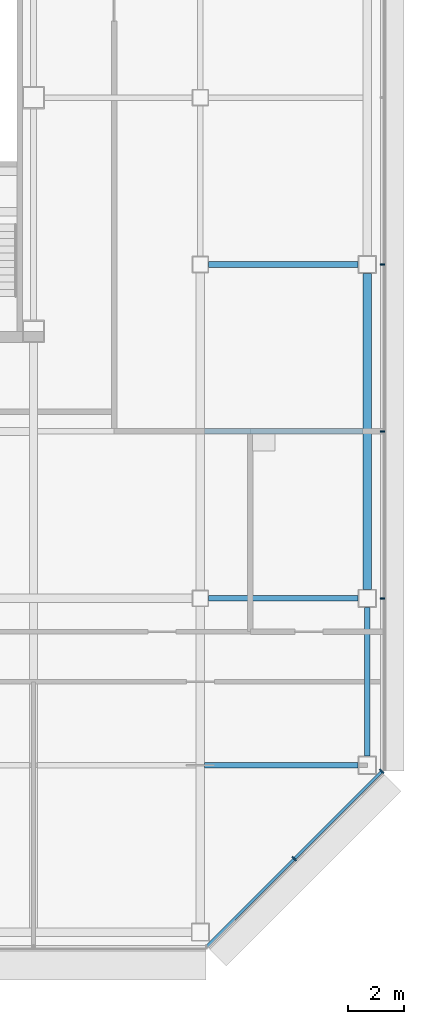
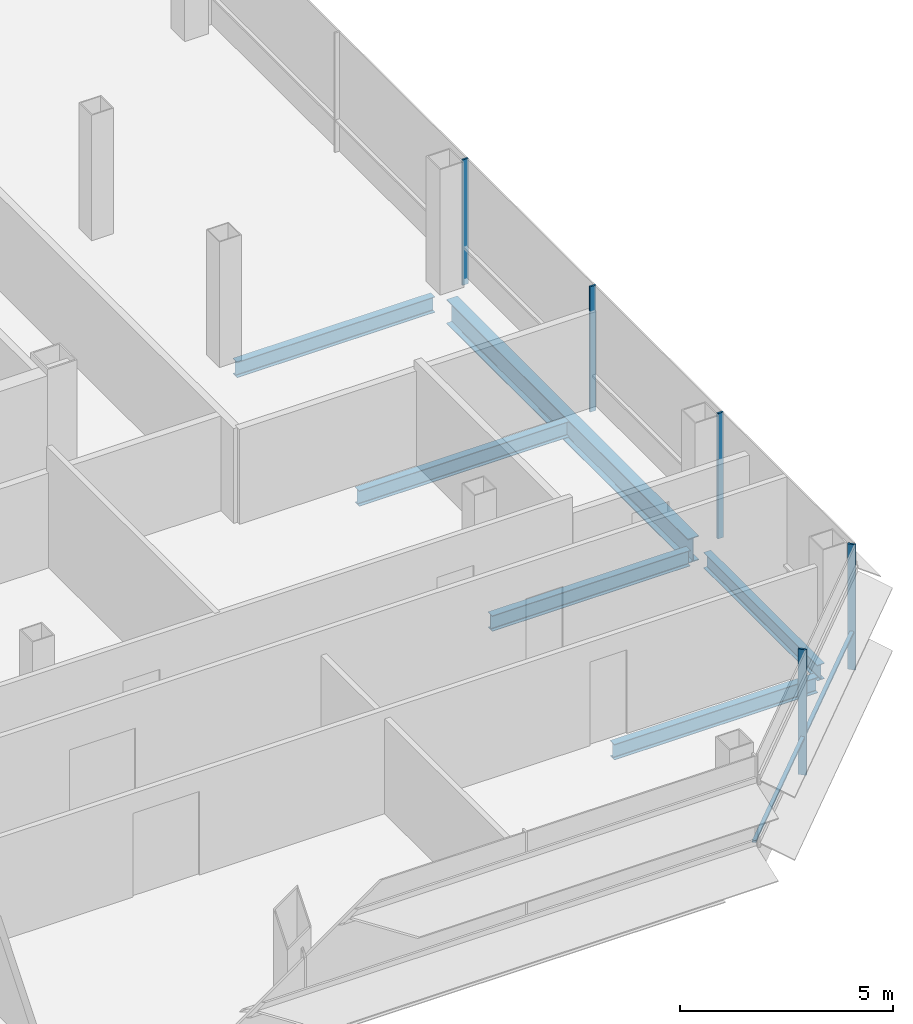
# One storey, part 16 of 26: 6 beams, 6 members, 2 elements without a shape of their own.
"""IFC4 building model written with IfcOpenShell, lengths in metres."""

import ifcopenshell
import ifcopenshell.guid

model = None  # the IFC model being written
_history = None  # IfcOwnerHistory: only IFC2X3 demands one
_inside = {}  # id of a spatial element -> (the spatial element, [elements in it])
_under = {}  # id of a project, library or spatial element -> (it, [spatial elements below it])
_declared = {}  # id of a project -> (the project, [libraries it declares])
_typed = {}  # id of a type object -> (the type object, [elements of that type])
_made_of = {}  # id of a material, layer set ... -> (it, [elements and type objects made of it])


def new_model(schema):
    """Start an empty IFC model of exactly this schema.

    Asked for "IFC4X3", IfcOpenShell would pick the latest addendum, in which some entities
    have other attributes; the version numbers below select the first issue.
    IFC2X3 requires an IfcOwnerHistory on every rooted entity: one is made here for all.
    """
    global model, _history
    if schema == "IFC4X3":
        model = ifcopenshell.file(schema_version=(4, 3, 0, 0))
    else:
        model = ifcopenshell.file(schema=schema)
    _inside.clear()
    _under.clear()
    _declared.clear()
    _typed.clear()
    _made_of.clear()
    _history = None
    if model.schema == "IFC2X3":
        org = make("IfcOrganization", Name="unknown")
        user = make(
            "IfcPersonAndOrganization",
            ThePerson=make("IfcPerson", FamilyName="unknown"),
            TheOrganization=org,
        )
        app = make(
            "IfcApplication",
            ApplicationDeveloper=org,
            Version="unknown",
            ApplicationFullName="unknown",
            ApplicationIdentifier="unknown",
        )
        _history = make(
            "IfcOwnerHistory",
            OwningUser=user,
            OwningApplication=app,
            ChangeAction="ADDED",
            CreationDate=0,
        )
    return model


def make(cls, **values):
    """One entity of the class cls with the attributes given. An attribute that is None is left unset."""
    return model.create_entity(
        cls, **{name: value for name, value in values.items() if value is not None}
    )


def rooted(cls, **values):
    """An entity with a GlobalId (a new one), such as an element, a storey or a relation."""
    return make(cls, GlobalId=ifcopenshell.guid.new(), OwnerHistory=_history, **values)


def si_unit(unit_type, name, prefix=None):
    """IfcSIUnit, for example si_unit("LENGTHUNIT", "METRE", prefix="MILLI")."""
    return make("IfcSIUnit", UnitType=unit_type, Prefix=prefix, Name=name)


def assignment(units):
    """IfcUnitAssignment: the units of a project."""
    return None if units is None else make("IfcUnitAssignment", Units=units)


def point(xyz):
    """IfcCartesianPoint."""
    return None if xyz is None else make("IfcCartesianPoint", Coordinates=xyz)


def direction(xyz):
    """IfcDirection."""
    return None if xyz is None else make("IfcDirection", DirectionRatios=xyz)


def frame(location, z_axis=None, x_axis=None):
    """IfcAxis2Placement3D, a coordinate frame: its origin and axes. An axis left out is left unset."""
    return make(
        "IfcAxis2Placement3D",
        Location=point(location),
        Axis=direction(z_axis),
        RefDirection=direction(x_axis),
    )


def frame_2d(location, x_axis=None):
    """IfcAxis2Placement2D, a coordinate frame in the plane: its origin and x axis."""
    return make(
        "IfcAxis2Placement2D", Location=point(location), RefDirection=direction(x_axis)
    )


def origin():
    """The frame at (0, 0, 0) with its axes left unset."""
    return frame((0.0, 0.0, 0.0))


def origin_2d():
    """The frame at (0, 0) in the plane with its x axis left unset."""
    return frame_2d((0.0, 0.0))


def place(relative_to, where):
    """IfcLocalPlacement: puts the frame where relative to a parent placement (None: the world)."""
    return make(
        "IfcLocalPlacement", PlacementRelTo=relative_to, RelativePlacement=where
    )


def context(
    kind, dimensions, precision=None, world=None, true_north=None, identifier=None
):
    """IfcGeometricRepresentationContext, for example the 3D "Model" context."""
    return make(
        "IfcGeometricRepresentationContext",
        ContextIdentifier=identifier,
        ContextType=kind,
        CoordinateSpaceDimension=dimensions,
        Precision=precision,
        WorldCoordinateSystem=world,
        TrueNorth=true_north,
    )


def subcontext(parent, identifier, kind, view, scale=None):
    """IfcGeometricRepresentationSubContext, for example "Body" below "Model"."""
    return make(
        "IfcGeometricRepresentationSubContext",
        ContextIdentifier=identifier,
        ContextType=kind,
        ParentContext=parent,
        TargetScale=scale,
        TargetView=view,
    )


def project(units=None, contexts=None):
    """IfcProject with its units and contexts."""
    return rooted(
        "IfcProject",
        Name="project",
        RepresentationContexts=contexts,
        UnitsInContext=assignment(units),
    )


def spatial(cls, under=None, at=None, **own):
    """A site, building, storey or space (cls), placed at a placement, below another one or the project."""
    s = rooted(cls, ObjectPlacement=at, **own)
    if under is not None:
        _under.setdefault(under.id(), (under, []))[1].append(s)
    return s


def profile(cls, at=None, kind="AREA", **sizes):
    """A parametric profile (cls). Its sizes go by their IFC names, for example OverallWidth=200.0."""
    return make(cls, ProfileType=kind, Position=at, **sizes)


def rectangle(**sizes):
    """IfcRectangleProfileDef."""
    return profile("IfcRectangleProfileDef", **sizes)


def i_section(**sizes):
    """IfcIShapeProfileDef."""
    return profile("IfcIShapeProfileDef", **sizes)


def extrude(swept, where, along, depth):
    """IfcExtrudedAreaSolid: the profile swept, set in the frame where, extruded along a direction by depth."""
    return make(
        "IfcExtrudedAreaSolid",
        SweptArea=swept,
        Position=where,
        ExtrudedDirection=direction(along),
        Depth=depth,
    )


def shape(context_of_items, identifier, shape_type, items):
    """IfcShapeRepresentation: the items that make up one representation, for example the "Body"."""
    return make(
        "IfcShapeRepresentation",
        ContextOfItems=context_of_items,
        RepresentationIdentifier=identifier,
        RepresentationType=shape_type,
        Items=items,
    )


def material(Name=None, Category=None):
    """IfcMaterial."""
    return make("IfcMaterial", Name=Name, Category=Category)


def material_profile(
    of_material, cross_section, Name=None, Category=None, Priority=None
):
    """IfcMaterialProfile: a cross section and its material."""
    return make(
        "IfcMaterialProfile",
        Name=Name,
        Material=of_material,
        Profile=cross_section,
        Priority=Priority,
        Category=Category,
    )


def profile_set(profiles, Name=None, composite=None):
    """IfcMaterialProfileSet."""
    return make(
        "IfcMaterialProfileSet",
        Name=Name,
        MaterialProfiles=profiles,
        CompositeProfile=composite,
    )


def made_of(thing, what):
    """Note that an element or type object is made of a material, layer set ...; save() writes the relation."""
    if what is not None:
        _made_of.setdefault(what.id(), (what, []))[1].append(thing)
    return thing


def type_object(cls, material=None, **own):
    """A type object (cls), such as IfcWallType, which elements share."""
    return made_of(rooted(cls, **own), material)


def element(
    cls,
    number,
    at=None,
    inside=None,
    cuts=None,
    type_object=None,
    material=None,
    context=None,
    identifier="Body",
    shape_type=None,
    held_by="IfcProductDefinitionShape",
    body=None,
    shapes=None,
    **own,
):
    """One element of the class cls, such as IfcWall. Its Tag is "e" and its number.

    at: its placement. inside: the storey or other place that contains it. cuts: it is an
    opening in that element (IfcRelVoidsElement). A single representation is given by context,
    identifier, shape_type and body (its items); several are given by shapes. held_by: the class
    of the entity that holds the representations. save() writes the other relations.
    """
    e = rooted(cls, Tag="e%d" % number, ObjectPlacement=at, **own)
    if body is not None:
        shapes = [shape(context, identifier, shape_type, body)]
    if shapes is not None:
        e.Representation = make(held_by, Representations=shapes)
    if inside is not None:
        _inside.setdefault(inside.id(), (inside, []))[1].append(e)
    if cuts is not None:
        rooted(
            "IfcRelVoidsElement", RelatingBuildingElement=cuts, RelatedOpeningElement=e
        )
    if type_object is not None:
        _typed.setdefault(type_object.id(), (type_object, []))[1].append(e)
    return made_of(e, material)


def aggregate(whole, parts):
    """IfcRelAggregates: a whole, such as a stair, and the parts it consists of."""
    return rooted("IfcRelAggregates", RelatingObject=whole, RelatedObjects=parts)


def save(model, path):
    """Write the relations noted so far, then the file.

    IfcRelAggregates (storeys below a building ...), IfcRelContainedInSpatialStructure (elements
    in a storey), IfcRelDefinesByType, IfcRelAssociatesMaterial and IfcRelDeclares: one each for
    every whole, place, type object, material and project.
    """
    for whole, parts in _under.values():
        aggregate(whole, parts)
    for where, things in _inside.values():
        rooted(
            "IfcRelContainedInSpatialStructure",
            RelatedElements=things,
            RelatingStructure=where,
        )
    for kind, things in _typed.values():
        rooted("IfcRelDefinesByType", RelatedObjects=things, RelatingType=kind)
    for what, things in _made_of.values():
        rooted("IfcRelAssociatesMaterial", RelatedObjects=things, RelatingMaterial=what)
    for by, libraries in _declared.values():
        rooted("IfcRelDeclares", RelatingContext=by, RelatedDefinitions=libraries)
    model.write(path)


model = new_model("IFC4")

# Units and contexts
model_context = context("Model", 3, precision=1e-05, world=origin(), true_north=direction((0.0, 1.0)))
body_context = subcontext(model_context, "Body", "Model", "MODEL_VIEW")
ifc_project = project(units=[si_unit("LENGTHUNIT", "METRE"), si_unit("AREAUNIT", "SQUARE_METRE"), si_unit("VOLUMEUNIT", "CUBIC_METRE"), si_unit("PLANEANGLEUNIT", "RADIAN"), si_unit("MASSUNIT", "GRAM", prefix="KILO")], contexts=[model_context])

# Site, building, storey
site_placement = place(None, origin())
site = spatial("IfcSite", under=ifc_project, at=site_placement, CompositionType="ELEMENT")
building_placement = place(site_placement, origin())
building = spatial("IfcBuilding", under=site, at=building_placement, Name="Sorahane Residences", CompositionType="ELEMENT")
storey_placement = place(building_placement, frame((0.0, 0.0, 215.39990234375)))
storey = spatial("IfcBuildingStorey", under=building, at=storey_placement, Name="L50", CompositionType="ELEMENT", Elevation=215.39990234375)

# Curtain wall, members
ifc_material_1 = material(Name="Dark low-e glass and black anodised aluminium", Category="aluminium")
curtain_wall_type_1 = type_object("IfcCurtainWallType", Name="Curtain wall CW-1 Typical unitised wall", PredefinedType="NOTDEFINED", material=ifc_material_1)
curtain_wall_1_placement = place(storey_placement, origin())
curtain_wall_1 = element("IfcCurtainWall", 1, at=curtain_wall_1_placement, inside=storey, type_object=curtain_wall_type_1, Name="CW-1 curtain wall L50 E1", PredefinedType="NOTDEFINED")
ifc_material_2 = material(Name="Black anodised aluminium", Category="aluminium")
ifc_material_profile_1 = material_profile(ifc_material_2, rectangle(XDim=0.159912109375, YDim=0.050048828125, at=origin_2d()), Name="Curtain wall mullion CW-1 black anodised aluminium 50x160")
ifc_profile_set_1 = profile_set([ifc_material_profile_1], Name="Black anodised aluminium")
member_type_1 = type_object("IfcMemberType", Name="Curtain wall mullion CW-1 black anodised aluminium 50x160", PredefinedType="MULLION", material=ifc_profile_set_1)
member_1_placement = place(storey_placement, frame((54.5400390625, 12.0, -0.179931640625), z_axis=(0.0, 0.0, 1.0), x_axis=(1.0, 0.0, 0.0)))
member_1 = element("IfcMember", 2, at=member_1_placement, type_object=member_type_1, Name="CW-1 mullion L50 E1.2", PredefinedType="MULLION", context=body_context, shape_type="SweptSolid", body=[
    extrude(rectangle(XDim=0.159912109375, YDim=0.050048828125, at=origin_2d()), origin(), (0.0, 0.0, 1.0), 3.60009765625),
])
member_2_placement = place(storey_placement, frame((54.5400390625, 18.0, -0.179931640625), z_axis=(0.0, 0.0, 1.0), x_axis=(1.0, 0.0, 0.0)))
member_2 = element("IfcMember", 3, at=member_2_placement, type_object=member_type_1, Name="CW-1 mullion L50 E1.3", PredefinedType="MULLION", context=body_context, shape_type="SweptSolid", body=[
    extrude(rectangle(XDim=0.159912109375, YDim=0.050048828125, at=origin_2d()), origin(), (0.0, 0.0, 1.0), 3.60009765625),
])
member_3_placement = place(storey_placement, frame((54.5400390625, 24.0, -0.179931640625), z_axis=(0.0, 0.0, 1.0), x_axis=(1.0, 0.0, 0.0)))
member_3 = element("IfcMember", 4, at=member_3_placement, type_object=member_type_1, Name="CW-1 mullion L50 E1.4", PredefinedType="MULLION", context=body_context, shape_type="SweptSolid", body=[
    extrude(rectangle(XDim=0.159912109375, YDim=0.050048828125, at=origin_2d()), origin(), (0.0, 0.0, 1.0), 3.60009765625),
])
aggregate(curtain_wall_1, [member_1, member_2, member_3])

ifc_material_3 = material(Name="Dark low-e glass and black anodised aluminium", Category="aluminium")
curtain_wall_type_2 = type_object("IfcCurtainWallType", Name="Curtain wall CW-2 Chamfer unitised wall", PredefinedType="NOTDEFINED", material=ifc_material_3)
curtain_wall_2_placement = place(storey_placement, origin())
curtain_wall_2 = element("IfcCurtainWall", 5, at=curtain_wall_2_placement, inside=storey, type_object=curtain_wall_type_2, Name="CW-2 curtain wall L50 SE1", PredefinedType="NOTDEFINED")
ifc_material_4 = material(Name="Black anodised aluminium", Category="aluminium")
ifc_material_profile_2 = material_profile(ifc_material_4, rectangle(XDim=0.199951171875, YDim=0.050048828125, at=origin_2d()), Name="Curtain wall mullion CW-2 black anodised aluminium 50x200")
ifc_profile_set_2 = profile_set([ifc_material_profile_2], Name="Black anodised aluminium")
member_type_2 = type_object("IfcMemberType", Name="Curtain wall mullion CW-2 black anodised aluminium 50x200", PredefinedType="MULLION", material=ifc_profile_set_2)
member_4_placement = place(storey_placement, frame((51.36767578125, 2.63232421875, -0.179931640625), z_axis=(0.0, 0.0, 1.0), x_axis=(0.707106781187, -0.707106781187, 0.0)))
member_4 = element("IfcMember", 6, at=member_4_placement, type_object=member_type_2, Name="CW-2 mullion L50 SE1.2", PredefinedType="MULLION", context=body_context, shape_type="SweptSolid", body=[
    extrude(rectangle(XDim=0.199951171875, YDim=0.050048828125, at=origin_2d()), origin(), (0.0, 0.0, 1.0), 3.60009765625),
])
member_5_placement = place(storey_placement, frame((54.525634765625, 5.790283203125, -0.179931640625), z_axis=(0.0, 0.0, 1.0), x_axis=(0.707106781187, -0.707106781187, 0.0)))
member_5 = element("IfcMember", 7, at=member_5_placement, type_object=member_type_2, Name="CW-2 mullion L50 SE1.3", PredefinedType="MULLION", context=body_context, shape_type="SweptSolid", body=[
    extrude(rectangle(XDim=0.199951171875, YDim=0.050048828125, at=origin_2d()), origin(), (0.0, 0.0, 1.0), 3.60009765625),
])
ifc_material_5 = material(Name="Black anodised aluminium", Category="aluminium")
ifc_material_profile_3 = material_profile(ifc_material_5, rectangle(XDim=0.10009765625, YDim=0.06005859375, at=origin_2d()), Name="Curtain wall transom CW-2 black anodised aluminium 60x100")
ifc_profile_set_3 = profile_set([ifc_material_profile_3], Name="Black anodised aluminium")
member_type_3 = type_object("IfcMemberType", Name="Curtain wall transom CW-2 black anodised aluminium 60x100", PredefinedType="USERDEFINED", material=ifc_profile_set_3)
member_6_placement = place(storey_placement, frame((48.234375, -0.51513671875, 0.900146484375), z_axis=(0.707106781187, 0.707106781187, 0.0), x_axis=(-0.707106781187, 0.707106781187, 0.0)))
member_6 = element("IfcMember", 8, at=member_6_placement, type_object=member_type_3, Name="CW-2 transom L50 SE1", ObjectType="TRANSOM", PredefinedType="USERDEFINED", context=body_context, shape_type="SweptSolid", body=[
    extrude(rectangle(XDim=0.10009765625, YDim=0.06005859375, at=origin_2d()), origin(), (0.0, 0.0, 1.0), 8.88232421875),
])
aggregate(curtain_wall_2, [member_4, member_5, member_6])

# Beams
ifc_material_6 = material(Name="Steel Q355B", Category="steel")
ifc_material_profile_4 = material_profile(ifc_material_6, i_section(OverallWidth=0.199951171875, OverallDepth=0.449951171875, WebThickness=0.009033203125, FlangeThickness=0.013916015625, FilletRadius=0.02001953125, at=origin_2d()), Name="HN 450x200x9x14")
ifc_profile_set_4 = profile_set([ifc_material_profile_4], Name="Steel Q355B")
beam_type_1 = type_object("IfcBeamType", Name="Steel floor beam HN 450x200x9x14 Q355B", PredefinedType="BEAM", material=ifc_profile_set_4)
for number, where, z_axis, x_axis, name in (
    (9, (48.300048828125, 12.0, -0.40478515625), (1.0, 0.0, 0.0), (0.0, 1.0, 0.0), "Beam L50 010"),
    (10, (48.300048828125, 24.0, -0.40478515625), (1.0, 0.0, 0.0), (0.0, 1.0, 0.0), "Beam L50 012"),
):
    element("IfcBeam", number, at=place(storey_placement, frame(where, z_axis=z_axis, x_axis=x_axis)), inside=storey, type_object=beam_type_1, Name=name, PredefinedType="BEAM", context=body_context, shape_type="SweptSolid", body=[
        extrude(i_section(OverallWidth=0.199951171875, OverallDepth=0.449951171875, WebThickness=0.009033203125, FlangeThickness=0.013916015625, FilletRadius=0.02001953125, at=origin_2d()), origin(), (0.0, 0.0, 1.0), 5.375),
    ])
beam_1_placement = place(storey_placement, frame((54.0, 6.324951171875, -0.40478515625), z_axis=(0.0, 1.0, 0.0), x_axis=(-1.0, 0.0, 0.0)))
element("IfcBeam", 11, at=beam_1_placement, inside=storey, type_object=beam_type_1, Name="Beam L50 064", PredefinedType="BEAM", context=body_context, shape_type="SweptSolid", body=[
    extrude(i_section(OverallWidth=0.199951171875, OverallDepth=0.449951171875, WebThickness=0.009033203125, FlangeThickness=0.013916015625, FilletRadius=0.02001953125, at=origin_2d()), origin(), (0.0, 0.0, 1.0), 5.35009765625),
])
beam_2_placement = place(storey_placement, frame((48.14990234375, 6.0, -0.40478515625), z_axis=(1.0, 0.0, 0.0), x_axis=(0.0, 1.0, 0.0)))
element("IfcBeam", 12, at=beam_2_placement, inside=storey, type_object=beam_type_1, Name="Beam L50 077", PredefinedType="BEAM", context=body_context, shape_type="SweptSolid", body=[
    extrude(i_section(OverallWidth=0.199951171875, OverallDepth=0.449951171875, WebThickness=0.009033203125, FlangeThickness=0.013916015625, FilletRadius=0.02001953125, at=origin_2d()), origin(), (0.0, 0.0, 1.0), 5.525146484375),
])
beam_3_placement = place(storey_placement, frame((48.14990234375, 18.0, -0.40478515625), z_axis=(1.0, 0.0, 0.0), x_axis=(0.0, 1.0, 0.0)))
element("IfcBeam", 13, at=beam_3_placement, inside=storey, type_object=beam_type_1, Name="Beam L50 084", PredefinedType="BEAM", context=body_context, shape_type="SweptSolid", body=[
    extrude(i_section(OverallWidth=0.199951171875, OverallDepth=0.449951171875, WebThickness=0.009033203125, FlangeThickness=0.013916015625, FilletRadius=0.02001953125, at=origin_2d()), origin(), (0.0, 0.0, 1.0), 5.7001953125),
])
ifc_material_7 = material(Name="Steel Q355B", Category="steel")
ifc_material_profile_5 = material_profile(ifc_material_7, i_section(OverallWidth=0.300048828125, OverallDepth=0.699951171875, WebThickness=0.012939453125, FlangeThickness=0.02392578125, FilletRadius=0.028076171875, at=origin_2d()), Name="HN 700x300x13x24")
ifc_profile_set_5 = profile_set([ifc_material_profile_5], Name="Steel Q355B")
beam_type_2 = type_object("IfcBeamType", Name="Steel floor beam HN 700x300x13x24 Q355B", PredefinedType="BEAM", material=ifc_profile_set_5)
beam_4_placement = place(storey_placement, frame((54.0, 12.324951171875, -0.52978515625), z_axis=(0.0, 1.0, 0.0), x_axis=(-1.0, 0.0, 0.0)))
element("IfcBeam", 14, at=beam_4_placement, inside=storey, type_object=beam_type_2, Name="Beam L50 065", PredefinedType="BEAM", context=body_context, shape_type="SweptSolid", body=[
    extrude(i_section(OverallWidth=0.300048828125, OverallDepth=0.699951171875, WebThickness=0.012939453125, FlangeThickness=0.02392578125, FilletRadius=0.028076171875, at=origin_2d()), origin(), (0.0, 0.0, 1.0), 11.35009765625),
])

save(model, "model.ifc")
